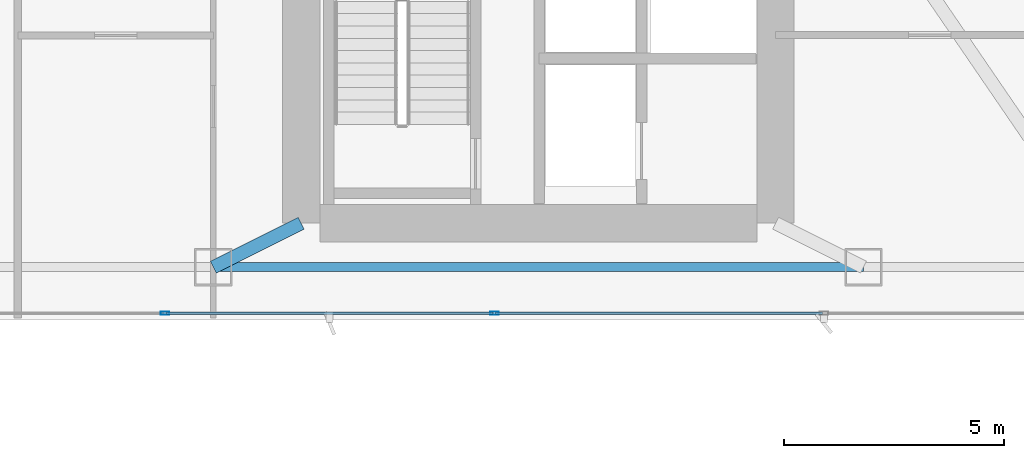
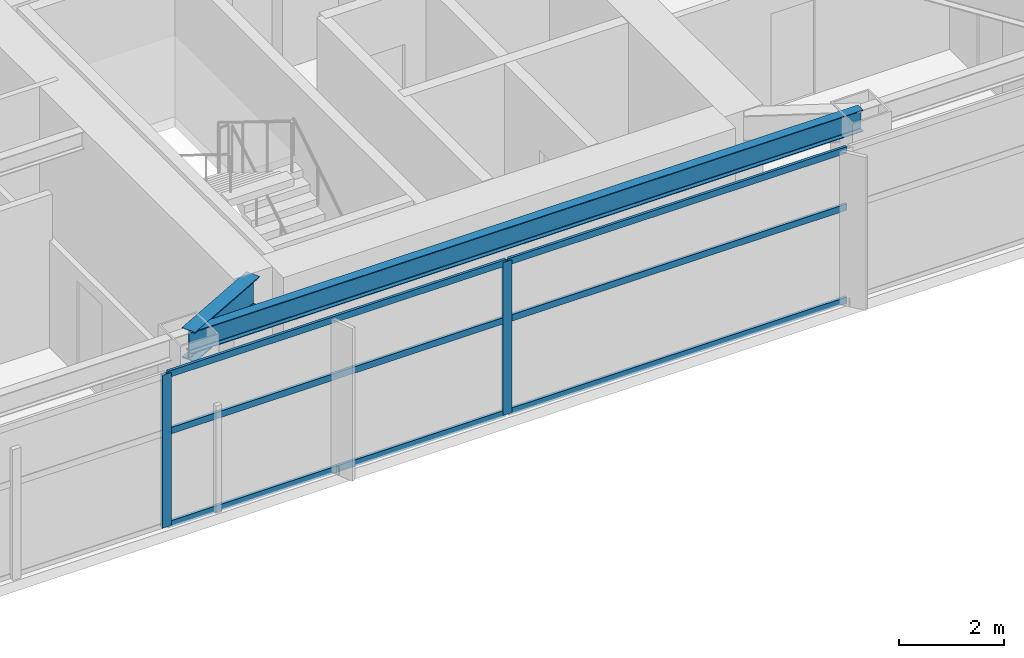
# One storey, part 6 of 28: 8 members, 2 beams, 1 element without a shape of its own.
"""IFC4 building model written with IfcOpenShell, lengths in metres."""

from ifc_helpers import new_model, si_unit, direction, frame, origin, origin_2d, place, context, subcontext, project, spatial, hollow_rectangle, i_section, extrude, material, layer, layer_set, material_profile, profile_set, type_object, element, aggregate, save


model = new_model("IFC4")

# Units and contexts
model_context = context("Model", 3, precision=1e-05, world=origin(), true_north=direction((0.0, 1.0)))
body_context = subcontext(model_context, "Body", "Model", "MODEL_VIEW")
ifc_project = project(units=[si_unit("LENGTHUNIT", "METRE"), si_unit("AREAUNIT", "SQUARE_METRE"), si_unit("VOLUMEUNIT", "CUBIC_METRE"), si_unit("PLANEANGLEUNIT", "RADIAN"), si_unit("MASSUNIT", "GRAM", prefix="KILO")], contexts=[model_context])

# Site, building, storey
site_placement = place(None, origin())
site = spatial("IfcSite", under=ifc_project, at=site_placement, CompositionType="ELEMENT")
building_placement = place(site_placement, origin())
building = spatial("IfcBuilding", under=site, at=building_placement, Name="Calvorn Quay Hotel", CompositionType="ELEMENT")
storey_placement = place(building_placement, frame((0.0, 0.0, 131.60009765625)))
storey = spatial("IfcBuildingStorey", under=building, at=storey_placement, Name="L32", CompositionType="ELEMENT", Elevation=131.60009765625)

# Beams
ifc_material_1 = material(Name="Steel Q390GJC", Category="steel")
ifc_material_profile_1 = material_profile(ifc_material_1, i_section(OverallWidth=0.300048828125, OverallDepth=0.699951171875, WebThickness=0.012939453125, FlangeThickness=0.02392578125, FilletRadius=0.02392578125, at=origin_2d()), Name="HN700x300x13x24")
ifc_profile_set_1 = profile_set([ifc_material_profile_1], Name="Steel Q390GJC")
beam_type_1 = type_object("IfcBeamType", Name="BM-GIRD-MAIN", PredefinedType="BEAM", material=ifc_profile_set_1)
beam_1_placement = place(storey_placement, frame((19.60009765625, 3.60009765625, 3.18994140625), z_axis=(0.894427191, 0.4472135955, 0.0), x_axis=(-0.4472135955, 0.894427191, 0.0)))
element("IfcBeam", 1, at=beam_1_placement, inside=storey, type_object=beam_type_1, Name="Beam BG-L32-S2", PredefinedType="BEAM", context=body_context, shape_type="SweptSolid", body=[
    extrude(i_section(OverallWidth=0.300048828125, OverallDepth=0.699951171875, WebThickness=0.012939453125, FlangeThickness=0.02392578125, FilletRadius=0.02392578125, at=origin_2d()), origin(), (0.0, 0.0, 1.0), 2.236083984375),
])
ifc_material_2 = material(Name="Steel Q355B", Category="steel")
ifc_material_profile_2 = material_profile(ifc_material_2, i_section(OverallWidth=0.199951171875, OverallDepth=0.5, WebThickness=0.010009765625, FlangeThickness=0.01611328125, FilletRadius=0.01611328125, at=origin_2d()), Name="HN500x200x10x16")
ifc_profile_set_2 = profile_set([ifc_material_profile_2], Name="Steel Q355B")
beam_type_2 = type_object("IfcBeamType", Name="BM-SPANDREL-Z1", PredefinedType="SPANDREL", material=ifc_profile_set_2)
beam_2_placement = place(storey_placement, frame((19.60009765625, 3.60009765625, 3.289794921875), z_axis=(1.0, 0.0, 0.0), x_axis=(0.0, 1.0, 0.0)))
element("IfcBeam", 2, at=beam_2_placement, inside=storey, type_object=beam_type_2, Name="Beam BSP-L32-S3", PredefinedType="SPANDREL", context=body_context, shape_type="SweptSolid", body=[
    extrude(i_section(OverallWidth=0.199951171875, OverallDepth=0.5, WebThickness=0.010009765625, FlangeThickness=0.01611328125, FilletRadius=0.01611328125, at=origin_2d()), origin(), (0.0, 0.0, 1.0), 14.7998046875),
])

# Curtain wall, members
ifc_material_3 = material(Name="Pale Anodised Aluminium and Low-E Glass", Category="aluminium")
ifc_layer = layer(ifc_material_3, 0.219970703125)
ifc_layer_set = layer_set([ifc_layer], Name="CW-SYS-Z2")
curtain_wall_type = type_object("IfcCurtainWallType", Name="CW-SYS-Z2", PredefinedType="NOTDEFINED", material=ifc_layer_set)
curtain_wall_placement = place(storey_placement, origin())
curtain_wall = element("IfcCurtainWall", 3, at=curtain_wall_placement, inside=storey, type_object=curtain_wall_type, Name="Tower South Waterfront Curtain Wall (L32)", PredefinedType="NOTDEFINED")
ifc_material_4 = material(Name="Pale Anodised Aluminium 6063-T6", Category="aluminium")
ifc_material_profile_3 = material_profile(ifc_material_4, hollow_rectangle(XDim=0.070068359375, YDim=0.199951171875, WallThickness=0.00390625, at=origin_2d()), Name="ALU-M200x70x4")
ifc_profile_set_3 = profile_set([ifc_material_profile_3], Name="Pale Anodised Aluminium 6063-T6")
member_type_1 = type_object("IfcMemberType", Name="CW-SYS-Z2-MUL", PredefinedType="MULLION", material=ifc_profile_set_3)
member_1_placement = place(storey_placement, frame((18.5, 2.550048828125, 0.0), z_axis=(0.0, 0.0, 1.0), x_axis=(0.0, 1.0, 0.0)))
member_1 = element("IfcMember", 4, at=member_1_placement, type_object=member_type_1, Name="CW-L32-S mullion 2", PredefinedType="MULLION", context=body_context, shape_type="SweptSolid", body=[
    extrude(hollow_rectangle(XDim=0.070068359375, YDim=0.199951171875, WallThickness=0.00390625, at=origin_2d()), origin(), (0.0, 0.0, 1.0), 3.559814453125),
])
member_2_placement = place(storey_placement, frame((26.0, 2.550048828125, 0.0), z_axis=(0.0, 0.0, 1.0), x_axis=(0.0, 1.0, 0.0)))
member_2 = element("IfcMember", 5, at=member_2_placement, type_object=member_type_1, Name="CW-L32-S mullion 3", PredefinedType="MULLION", context=body_context, shape_type="SweptSolid", body=[
    extrude(hollow_rectangle(XDim=0.070068359375, YDim=0.199951171875, WallThickness=0.00390625, at=origin_2d()), origin(), (0.0, 0.0, 1.0), 3.559814453125),
])
ifc_material_5 = material(Name="Pale Anodised Aluminium 6063-T6", Category="aluminium")
ifc_material_profile_4 = material_profile(ifc_material_5, hollow_rectangle(XDim=0.06005859375, YDim=0.14990234375, WallThickness=0.00341796875, at=origin_2d()), Name="ALU-T150x60x3.5")
ifc_profile_set_4 = profile_set([ifc_material_profile_4], Name="Pale Anodised Aluminium 6063-T6")
member_type_2 = type_object("IfcMemberType", Name="CW-SYS-Z2-TRN", PredefinedType="USERDEFINED", material=ifc_profile_set_4)
member_3_placement = place(storey_placement, frame((18.530029296875, 2.550048828125, 0.02978515625), z_axis=(1.0, 0.0, 0.0), x_axis=(0.0, 1.0, 0.0)))
member_3 = element("IfcMember", 6, at=member_3_placement, type_object=member_type_2, Name="CW-L32-S transom 2.1", ObjectType="TRANSOM", PredefinedType="USERDEFINED", context=body_context, shape_type="SweptSolid", body=[
    extrude(hollow_rectangle(XDim=0.06005859375, YDim=0.14990234375, WallThickness=0.00341796875, at=origin_2d()), origin(), (0.0, 0.0, 1.0), 7.43994140625),
])
member_4_placement = place(storey_placement, frame((18.530029296875, 2.550048828125, 2.199951171875), z_axis=(1.0, 0.0, 0.0), x_axis=(0.0, 1.0, 0.0)))
member_4 = element("IfcMember", 7, at=member_4_placement, type_object=member_type_2, Name="CW-L32-S transom 2.2", ObjectType="TRANSOM", PredefinedType="USERDEFINED", context=body_context, shape_type="SweptSolid", body=[
    extrude(hollow_rectangle(XDim=0.06005859375, YDim=0.14990234375, WallThickness=0.00341796875, at=origin_2d()), origin(), (0.0, 0.0, 1.0), 7.43994140625),
])
member_5_placement = place(storey_placement, frame((18.530029296875, 2.550048828125, 3.52978515625), z_axis=(1.0, 0.0, 0.0), x_axis=(0.0, 1.0, 0.0)))
member_5 = element("IfcMember", 8, at=member_5_placement, type_object=member_type_2, Name="CW-L32-S transom 2.3", ObjectType="TRANSOM", PredefinedType="USERDEFINED", context=body_context, shape_type="SweptSolid", body=[
    extrude(hollow_rectangle(XDim=0.06005859375, YDim=0.14990234375, WallThickness=0.00341796875, at=origin_2d()), origin(), (0.0, 0.0, 1.0), 7.43994140625),
])
member_6_placement = place(storey_placement, frame((26.030029296875, 2.550048828125, 0.02978515625), z_axis=(1.0, 0.0, 0.0), x_axis=(0.0, 1.0, 0.0)))
member_6 = element("IfcMember", 9, at=member_6_placement, type_object=member_type_2, Name="CW-L32-S transom 3.1", ObjectType="TRANSOM", PredefinedType="USERDEFINED", context=body_context, shape_type="SweptSolid", body=[
    extrude(hollow_rectangle(XDim=0.06005859375, YDim=0.14990234375, WallThickness=0.00341796875, at=origin_2d()), origin(), (0.0, 0.0, 1.0), 7.43994140625),
])
member_7_placement = place(storey_placement, frame((26.030029296875, 2.550048828125, 2.199951171875), z_axis=(1.0, 0.0, 0.0), x_axis=(0.0, 1.0, 0.0)))
member_7 = element("IfcMember", 10, at=member_7_placement, type_object=member_type_2, Name="CW-L32-S transom 3.2", ObjectType="TRANSOM", PredefinedType="USERDEFINED", context=body_context, shape_type="SweptSolid", body=[
    extrude(hollow_rectangle(XDim=0.06005859375, YDim=0.14990234375, WallThickness=0.00341796875, at=origin_2d()), origin(), (0.0, 0.0, 1.0), 7.43994140625),
])
member_8_placement = place(storey_placement, frame((26.030029296875, 2.550048828125, 3.52978515625), z_axis=(1.0, 0.0, 0.0), x_axis=(0.0, 1.0, 0.0)))
member_8 = element("IfcMember", 11, at=member_8_placement, type_object=member_type_2, Name="CW-L32-S transom 3.3", ObjectType="TRANSOM", PredefinedType="USERDEFINED", context=body_context, shape_type="SweptSolid", body=[
    extrude(hollow_rectangle(XDim=0.06005859375, YDim=0.14990234375, WallThickness=0.00341796875, at=origin_2d()), origin(), (0.0, 0.0, 1.0), 7.43994140625),
])
aggregate(curtain_wall, [member_1, member_2, member_3, member_4, member_5, member_6, member_7, member_8])

save(model, "model.ifc")
